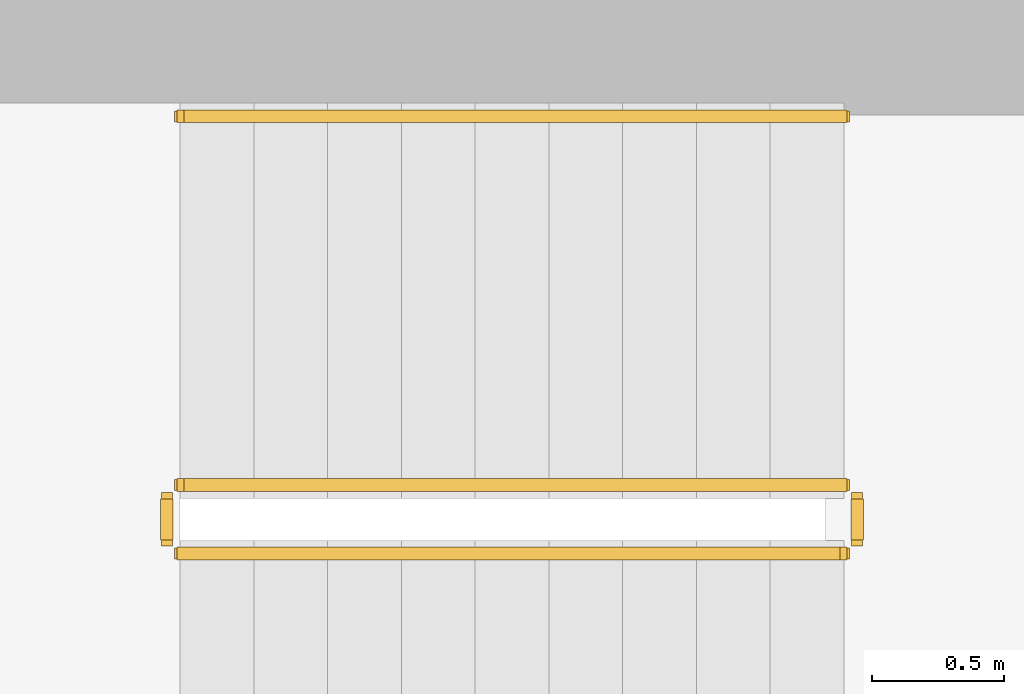
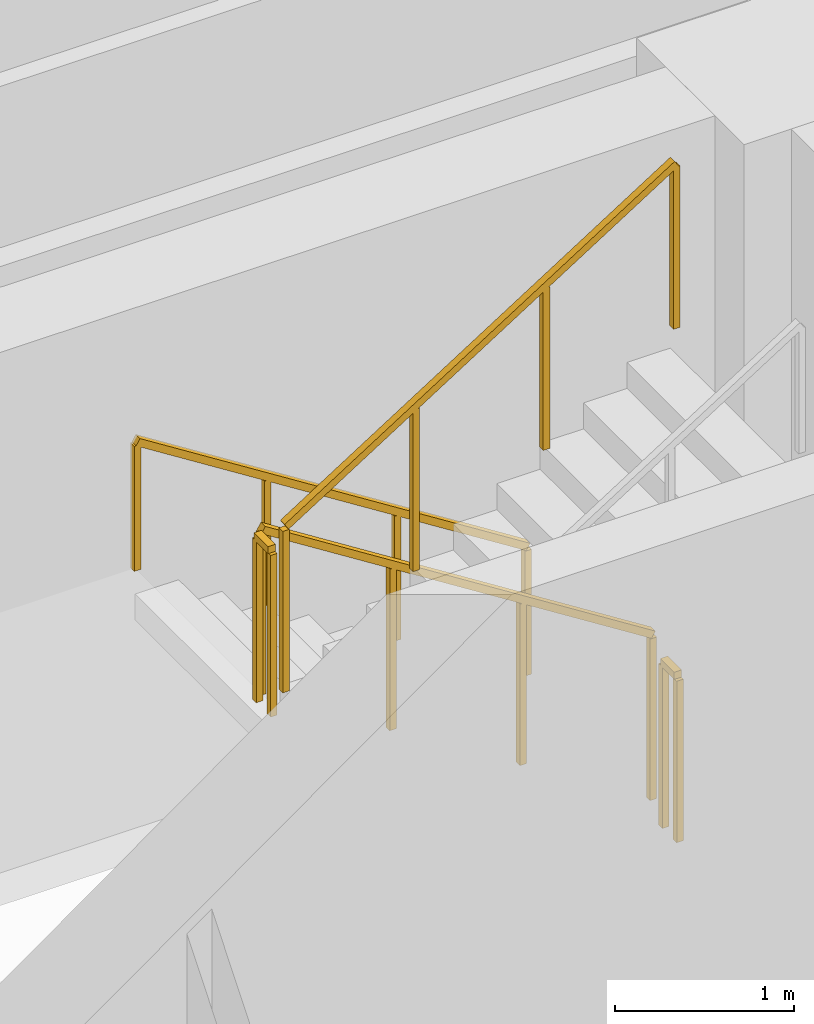
# One storey, part 12 of 13: 5 railings.
"""IFC4 building model written with IfcOpenShell, lengths in metres."""

from ifc_helpers import new_model, si_unit, direction, frame, origin, origin_2d, place, context, subcontext, project, spatial, rectangle, extrude, material, type_object, element, save


model = new_model("IFC4")

# Units and contexts
model_context = context("Model", 3, precision=1e-05, world=origin(), true_north=direction((0.0, 1.0)))
body_context = subcontext(model_context, "Body", "Model", "MODEL_VIEW")
ifc_project = project(units=[si_unit("LENGTHUNIT", "METRE"), si_unit("AREAUNIT", "SQUARE_METRE"), si_unit("VOLUMEUNIT", "CUBIC_METRE"), si_unit("PLANEANGLEUNIT", "RADIAN"), si_unit("MASSUNIT", "GRAM", prefix="KILO")], contexts=[model_context])

# Site, building, storey
site_placement = place(None, origin())
site = spatial("IfcSite", under=ifc_project, at=site_placement, CompositionType="ELEMENT")
building_placement = place(site_placement, origin())
building = spatial("IfcBuilding", under=site, at=building_placement, Name="Zarnavel Station Tower", CompositionType="ELEMENT")
storey_placement = place(building_placement, frame((0.0, 0.0, 141.25)))
storey = spatial("IfcBuildingStorey", under=building, at=storey_placement, Name="L38", CompositionType="ELEMENT", Elevation=141.25)

# Railings
ifc_material_1 = material(Name="Painted Steel S355J2 Balustrade", Category="steel")
railing_type_1 = type_object("IfcRailingType", Name="GR_INT_1150", PredefinedType="GUARDRAIL", material=ifc_material_1)
railing_1_placement = place(storey_placement, frame((19.47998046875, 35.3701171875, 0.177490234375)))
element("IfcRailing", 1, at=railing_1_placement, inside=storey, type_object=railing_type_1, Name="L38 ST1 stair guard 1", PredefinedType="GUARDRAIL", context=body_context, shape_type="SweptSolid", body=[
    extrude(rectangle(XDim=0.048095703125, YDim=0.048095703125, at=origin_2d()), frame((-0.001708984375, 0.0, 1.126953125), z_axis=(-0.84460694969, 0.0, 0.535386869969), x_axis=(0.0, -1.0, 0.0)), (0.0, 0.0, 1.0), 2.979736328125),
    extrude(rectangle(XDim=0.0419921875, YDim=0.0419921875, at=origin_2d()), origin(), (0.0, 0.0, 1.0), 1.101806640625),
    extrude(rectangle(XDim=0.0419921875, YDim=0.0419921875, at=origin_2d()), frame((-0.840087890625, 0.0, 0.532470703125)), (0.0, 0.0, 1.0), 1.101806640625),
    extrude(rectangle(XDim=0.0419921875, YDim=0.0419921875, at=origin_2d()), frame((-1.679931640625, 0.0, 1.06494140625)), (0.0, 0.0, 1.0), 1.101806640625),
    extrude(rectangle(XDim=0.0419921875, YDim=0.0419921875, at=origin_2d()), frame((-2.52001953125, 0.0, 1.597412109375)), (0.0, 0.0, 1.0), 1.101806640625),
])
railing_2_placement = place(storey_placement, frame((16.909912109375, 35.320068359375, 1.77490234375)))
element("IfcRailing", 2, at=railing_2_placement, inside=storey, type_object=railing_type_1, Name="L38 ST1 stair guard 2", PredefinedType="GUARDRAIL", context=body_context, shape_type="SweptSolid", body=[
    extrude(rectangle(XDim=0.048095703125, YDim=0.048095703125, at=origin_2d()), frame((0.0, -0.001953125, 1.1259765625), z_axis=(0.0, -1.0, 0.0), x_axis=(1.0, 0.0, 0.0)), (0.0, 0.0, 1.0), 0.15625),
    extrude(rectangle(XDim=0.0419921875, YDim=0.0419921875, at=origin_2d()), origin(), (0.0, 0.0, 1.0), 1.101806640625),
    extrude(rectangle(XDim=0.0419921875, YDim=0.0419921875, at=origin_2d()), frame((0.0, -0.16015625, 0.0)), (0.0, 0.0, 1.0), 1.101806640625),
])
railing_3_placement = place(storey_placement, frame((16.9599609375, 35.110107421875, 1.952392578125)))
element("IfcRailing", 3, at=railing_3_placement, inside=storey, type_object=railing_type_1, Name="L38 ST1 stair guard 3", PredefinedType="GUARDRAIL", context=body_context, shape_type="SweptSolid", body=[
    extrude(rectangle(XDim=0.048095703125, YDim=0.048095703125, at=origin_2d()), frame((0.001708984375, 0.0, 1.126953125), z_axis=(0.84456994832, 0.0, 0.535445237532), x_axis=(0.0, 1.0, 0.0)), (0.0, 0.0, 1.0), 2.979736328125),
    extrude(rectangle(XDim=0.0419921875, YDim=0.0419921875, at=origin_2d()), origin(), (0.0, 0.0, 1.0), 1.101806640625),
    extrude(rectangle(XDim=0.0419921875, YDim=0.0419921875, at=origin_2d()), frame((0.840087890625, 0.0, 0.532470703125)), (0.0, 0.0, 1.0), 1.101806640625),
    extrude(rectangle(XDim=0.0419921875, YDim=0.0419921875, at=origin_2d()), frame((1.679931640625, 0.0, 1.065185546875)), (0.0, 0.0, 1.0), 1.101806640625),
    extrude(rectangle(XDim=0.0419921875, YDim=0.0419921875, at=origin_2d()), frame((2.52001953125, 0.0, 1.59765625)), (0.0, 0.0, 1.0), 1.101806640625),
])
railing_4_placement = place(storey_placement, frame((19.530029296875, 35.320068359375, 0.0)))
element("IfcRailing", 4, at=railing_4_placement, inside=storey, type_object=railing_type_1, Name="L38 ST1 stair guard 4", PredefinedType="GUARDRAIL", context=body_context, shape_type="SweptSolid", body=[
    extrude(rectangle(XDim=0.048095703125, YDim=0.048095703125, at=origin_2d()), frame((0.0, -0.001953125, 1.1259765625), z_axis=(0.0, -1.0, 0.0), x_axis=(1.0, 0.0, 0.0)), (0.0, 0.0, 1.0), 0.15625),
    extrude(rectangle(XDim=0.0419921875, YDim=0.0419921875, at=origin_2d()), origin(), (0.0, 0.0, 1.0), 1.101806640625),
    extrude(rectangle(XDim=0.0419921875, YDim=0.0419921875, at=origin_2d()), frame((0.0, -0.16015625, 0.0)), (0.0, 0.0, 1.0), 1.101806640625),
])
ifc_material_2 = material(Name="Brushed Stainless Steel S355J2 Handrail", Category="steel")
railing_type_2 = type_object("IfcRailingType", Name="HR_STAIR_900", PredefinedType="HANDRAIL", material=ifc_material_2)
railing_5_placement = place(storey_placement, frame((19.47998046875, 36.77001953125, 0.177490234375)))
element("IfcRailing", 5, at=railing_5_placement, inside=storey, type_object=railing_type_2, Name="L38 ST1 stair handrail 1", PredefinedType="HANDRAIL", context=body_context, shape_type="SweptSolid", body=[
    extrude(rectangle(XDim=0.048095703125, YDim=0.048095703125, at=origin_2d()), frame((-0.001708984375, 0.0, 0.876953125), z_axis=(-0.84460694969, 0.0, 0.535386869969), x_axis=(0.0, -1.0, 0.0)), (0.0, 0.0, 1.0), 2.979736328125),
    extrude(rectangle(XDim=0.0419921875, YDim=0.0419921875, at=origin_2d()), origin(), (0.0, 0.0, 1.0), 0.851806640625),
    extrude(rectangle(XDim=0.0419921875, YDim=0.0419921875, at=origin_2d()), frame((-0.840087890625, 0.0, 0.532470703125)), (0.0, 0.0, 1.0), 0.851806640625),
    extrude(rectangle(XDim=0.0419921875, YDim=0.0419921875, at=origin_2d()), frame((-1.679931640625, 0.0, 1.06494140625)), (0.0, 0.0, 1.0), 0.851806640625),
    extrude(rectangle(XDim=0.0419921875, YDim=0.0419921875, at=origin_2d()), frame((-2.52001953125, 0.0, 1.597412109375)), (0.0, 0.0, 1.0), 0.851806640625),
])

save(model, "model.ifc")
